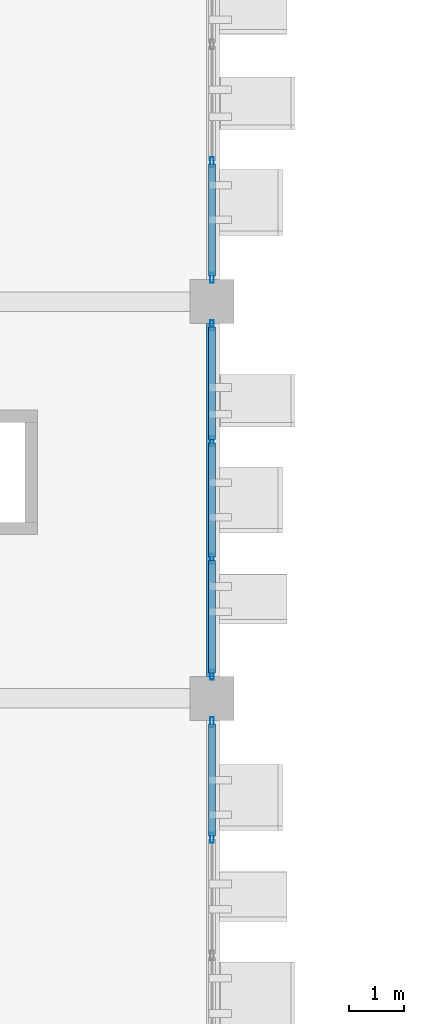
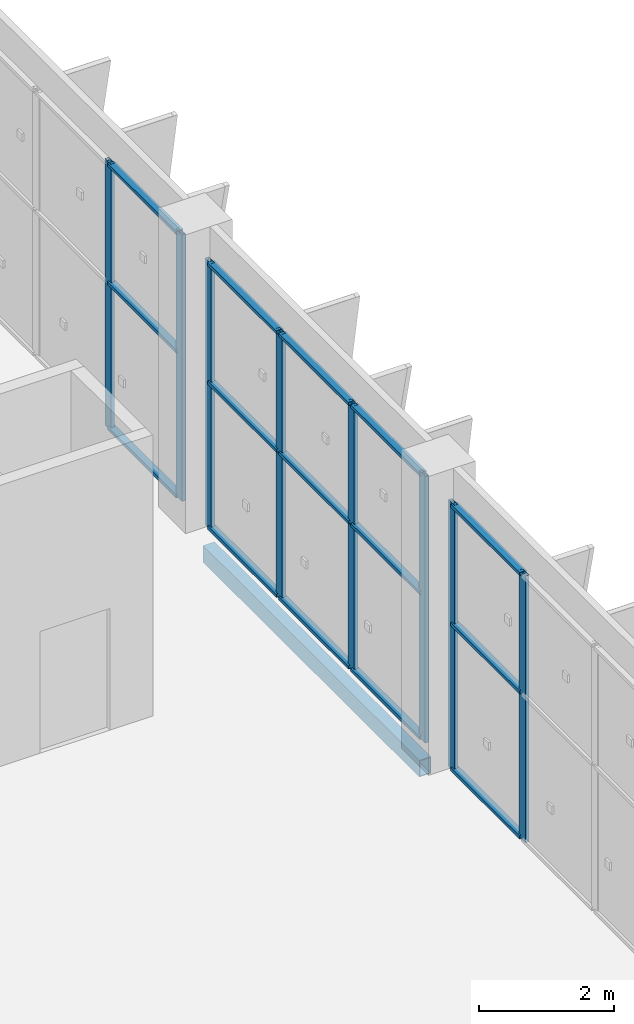
# One storey, part 41 of 137: 23 members, 1 beam, 3 elements without a shape of their own.
"""IFC4 building model written with IfcOpenShell, lengths in metres."""

from ifc_helpers import new_model, si_unit, direction, frame, origin, origin_2d, place, context, subcontext, project, spatial, hollow_rectangle, extrude, material, layer, layer_set, material_profile, profile_set, type_object, element, aggregate, save


model = new_model("IFC4")

# Units and contexts
model_context = context("Model", 3, precision=1e-05, world=origin(), true_north=direction((0.0, 1.0)))
body_context = subcontext(model_context, "Body", "Model", "MODEL_VIEW")
ifc_project = project(units=[si_unit("LENGTHUNIT", "METRE"), si_unit("AREAUNIT", "SQUARE_METRE"), si_unit("VOLUMEUNIT", "CUBIC_METRE"), si_unit("PLANEANGLEUNIT", "RADIAN"), si_unit("MASSUNIT", "GRAM", prefix="KILO")], contexts=[model_context])

# Site, building, storey
site_placement = place(None, origin())
site = spatial("IfcSite", under=ifc_project, at=site_placement, CompositionType="ELEMENT")
building_placement = place(site_placement, origin())
building = spatial("IfcBuilding", under=site, at=building_placement, Name="Celestram Park Convention Centre", CompositionType="ELEMENT")
storey_placement = place(building_placement, origin())
storey = spatial("IfcBuildingStorey", under=building, at=storey_placement, Name="L00", CompositionType="ELEMENT", Elevation=0.0)

# Curtain wall, members
ifc_material_1 = material(Name="Anodised Aluminium Alloy 6063-T6", Category="aluminium")
ifc_layer = layer(ifc_material_1, 0.179931640625)
ifc_layer_set = layer_set([ifc_layer], Name="Anodised Aluminium Alloy 6063-T6")
curtain_wall_type = type_object("IfcCurtainWallType", Name="ARC-CW-640X482", PredefinedType="NOTDEFINED", material=ifc_layer_set)
curtain_wall_1_placement = place(storey_placement, origin())
curtain_wall_1 = element("IfcCurtainWall", 1, at=curtain_wall_1_placement, inside=storey, type_object=curtain_wall_type, Name="Unitised curtain wall CU-L00-014", PredefinedType="NOTDEFINED")
ifc_material_profile_1 = material_profile(ifc_material_1, hollow_rectangle(XDim=0.06494140625, YDim=0.179931640625, WallThickness=0.00390625, at=origin_2d()), Name="ALU65X180X4")
ifc_profile_set_1 = profile_set([ifc_material_profile_1], Name="Anodised Aluminium Alloy 6063-T6")
member_type_1 = type_object("IfcMemberType", Name="ARC-CWM-150", PredefinedType="MULLION", material=ifc_profile_set_1)
member_1_placement = place(storey_placement, frame((144.0, 60.132568359375, 0.0), z_axis=(0.0, 0.0, 1.0), x_axis=(1.0, 0.0, 0.0)))
member_1 = element("IfcMember", 2, at=member_1_placement, type_object=member_type_1, Name="CW-64X48 mullion 3", PredefinedType="MULLION", context=body_context, shape_type="SweptSolid", body=[
    extrude(hollow_rectangle(XDim=0.06494140625, YDim=0.179931640625, WallThickness=0.00390625, at=origin_2d()), origin(), (0.0, 0.0, 1.0), 4.820068359375),
])
member_2_placement = place(storey_placement, frame((144.0, 58.030517578125, 0.0), z_axis=(0.0, 0.0, 1.0), x_axis=(1.0, 0.0, 0.0)))
member_2 = element("IfcMember", 3, at=member_2_placement, type_object=member_type_1, Name="CW-64X48 mullion 4", PredefinedType="MULLION", context=body_context, shape_type="SweptSolid", body=[
    extrude(hollow_rectangle(XDim=0.06494140625, YDim=0.179931640625, WallThickness=0.00390625, at=origin_2d()), origin(), (0.0, 0.0, 1.0), 4.820068359375),
])

curtain_wall_2_placement = place(storey_placement, origin())
curtain_wall_2 = element("IfcCurtainWall", 4, at=curtain_wall_2_placement, inside=storey, type_object=curtain_wall_type, Name="Unitised curtain wall CU-L00-015", PredefinedType="NOTDEFINED")
member_3_placement = place(storey_placement, frame((144.0, 57.16943359375, 0.0), z_axis=(0.0, 0.0, 1.0), x_axis=(1.0, 0.0, 0.0)))
member_3 = element("IfcMember", 5, at=member_3_placement, type_object=member_type_1, Name="CW-64X48 mullion 1", PredefinedType="MULLION", context=body_context, shape_type="SweptSolid", body=[
    extrude(hollow_rectangle(XDim=0.06494140625, YDim=0.179931640625, WallThickness=0.00390625, at=origin_2d()), origin(), (0.0, 0.0, 1.0), 4.820068359375),
])
member_4_placement = place(storey_placement, frame((144.0, 55.0673828125, 0.0), z_axis=(0.0, 0.0, 1.0), x_axis=(1.0, 0.0, 0.0)))
member_4 = element("IfcMember", 6, at=member_4_placement, type_object=member_type_1, Name="CW-64X48 mullion 2", PredefinedType="MULLION", context=body_context, shape_type="SweptSolid", body=[
    extrude(hollow_rectangle(XDim=0.06494140625, YDim=0.179931640625, WallThickness=0.00390625, at=origin_2d()), origin(), (0.0, 0.0, 1.0), 4.820068359375),
])
member_5_placement = place(storey_placement, frame((144.0, 52.9326171875, 0.0), z_axis=(0.0, 0.0, 1.0), x_axis=(1.0, 0.0, 0.0)))
member_5 = element("IfcMember", 7, at=member_5_placement, type_object=member_type_1, Name="CW-64X48 mullion 3", PredefinedType="MULLION", context=body_context, shape_type="SweptSolid", body=[
    extrude(hollow_rectangle(XDim=0.06494140625, YDim=0.179931640625, WallThickness=0.00390625, at=origin_2d()), origin(), (0.0, 0.0, 1.0), 4.820068359375),
])
member_6_placement = place(storey_placement, frame((144.0, 50.83056640625, 0.0), z_axis=(0.0, 0.0, 1.0), x_axis=(1.0, 0.0, 0.0)))
member_6 = element("IfcMember", 8, at=member_6_placement, type_object=member_type_1, Name="CW-64X48 mullion 4", PredefinedType="MULLION", context=body_context, shape_type="SweptSolid", body=[
    extrude(hollow_rectangle(XDim=0.06494140625, YDim=0.179931640625, WallThickness=0.00390625, at=origin_2d()), origin(), (0.0, 0.0, 1.0), 4.820068359375),
])

curtain_wall_3_placement = place(storey_placement, origin())
curtain_wall_3 = element("IfcCurtainWall", 9, at=curtain_wall_3_placement, inside=storey, type_object=curtain_wall_type, Name="Unitised curtain wall CU-L00-016", PredefinedType="NOTDEFINED")
member_7_placement = place(storey_placement, frame((144.0, 49.969482421875, 0.0), z_axis=(0.0, 0.0, 1.0), x_axis=(1.0, 0.0, 0.0)))
member_7 = element("IfcMember", 10, at=member_7_placement, type_object=member_type_1, Name="CW-64X48 mullion 1", PredefinedType="MULLION", context=body_context, shape_type="SweptSolid", body=[
    extrude(hollow_rectangle(XDim=0.06494140625, YDim=0.179931640625, WallThickness=0.00390625, at=origin_2d()), origin(), (0.0, 0.0, 1.0), 4.820068359375),
])
member_8_placement = place(storey_placement, frame((144.0, 47.867431640625, 0.0), z_axis=(0.0, 0.0, 1.0), x_axis=(1.0, 0.0, 0.0)))
member_8 = element("IfcMember", 11, at=member_8_placement, type_object=member_type_1, Name="CW-64X48 mullion 2", PredefinedType="MULLION", context=body_context, shape_type="SweptSolid", body=[
    extrude(hollow_rectangle(XDim=0.06494140625, YDim=0.179931640625, WallThickness=0.00390625, at=origin_2d()), origin(), (0.0, 0.0, 1.0), 4.820068359375),
])

# Member
ifc_material_profile_2 = material_profile(ifc_material_1, hollow_rectangle(XDim=0.1201171875, YDim=0.06005859375, WallThickness=0.0029296875, at=origin_2d()), Name="ALU120X60X3")
ifc_profile_set_2 = profile_set([ifc_material_profile_2], Name="Anodised Aluminium Alloy 6063-T6")
member_type_2 = type_object("IfcMemberType", Name="ARC-CWT-120", PredefinedType="USERDEFINED", material=ifc_profile_set_2)
member_9_placement = place(storey_placement, frame((144.0, 60.10009765625, 0.030029296875), z_axis=(0.0, -1.0, 0.0), x_axis=(1.0, 0.0, 0.0)))
member_9 = element("IfcMember", 12, at=member_9_placement, type_object=member_type_2, Name="CW-64X48 transom 3.1", ObjectType="TRANSOM", PredefinedType="USERDEFINED", context=body_context, shape_type="SweptSolid", body=[
    extrude(hollow_rectangle(XDim=0.1201171875, YDim=0.06005859375, WallThickness=0.0029296875, at=origin_2d()), origin(), (0.0, 0.0, 1.0), 2.037109375),
])

member_10_placement = place(storey_placement, frame((144.0, 60.10009765625, 2.64990234375), z_axis=(0.0, -1.0, 0.0), x_axis=(1.0, 0.0, 0.0)))
member_10 = element("IfcMember", 13, at=member_10_placement, type_object=member_type_2, Name="CW-64X48 transom 3.2", ObjectType="TRANSOM", PredefinedType="USERDEFINED", context=body_context, shape_type="SweptSolid", body=[
    extrude(hollow_rectangle(XDim=0.1201171875, YDim=0.06005859375, WallThickness=0.0029296875, at=origin_2d()), origin(), (0.0, 0.0, 1.0), 2.037109375),
])

member_11_placement = place(storey_placement, frame((144.0, 60.10009765625, 4.7900390625), z_axis=(0.0, -1.0, 0.0), x_axis=(1.0, 0.0, 0.0)))
member_11 = element("IfcMember", 14, at=member_11_placement, type_object=member_type_2, Name="CW-64X48 transom 3.3", ObjectType="TRANSOM", PredefinedType="USERDEFINED", context=body_context, shape_type="SweptSolid", body=[
    extrude(hollow_rectangle(XDim=0.1201171875, YDim=0.06005859375, WallThickness=0.0029296875, at=origin_2d()), origin(), (0.0, 0.0, 1.0), 2.037109375),
])

aggregate(curtain_wall_1, [member_1, member_2, member_9, member_10, member_11])

member_12_placement = place(storey_placement, frame((144.0, 57.136962890625, 0.030029296875), z_axis=(0.0, -1.0, 0.0), x_axis=(1.0, 0.0, 0.0)))
member_12 = element("IfcMember", 15, at=member_12_placement, type_object=member_type_2, Name="CW-64X48 transom 1.1", ObjectType="TRANSOM", PredefinedType="USERDEFINED", context=body_context, shape_type="SweptSolid", body=[
    extrude(hollow_rectangle(XDim=0.1201171875, YDim=0.06005859375, WallThickness=0.0029296875, at=origin_2d()), origin(), (0.0, 0.0, 1.0), 2.037109375),
])

member_13_placement = place(storey_placement, frame((144.0, 57.136962890625, 2.64990234375), z_axis=(0.0, -1.0, 0.0), x_axis=(1.0, 0.0, 0.0)))
member_13 = element("IfcMember", 16, at=member_13_placement, type_object=member_type_2, Name="CW-64X48 transom 1.2", ObjectType="TRANSOM", PredefinedType="USERDEFINED", context=body_context, shape_type="SweptSolid", body=[
    extrude(hollow_rectangle(XDim=0.1201171875, YDim=0.06005859375, WallThickness=0.0029296875, at=origin_2d()), origin(), (0.0, 0.0, 1.0), 2.037109375),
])

member_14_placement = place(storey_placement, frame((144.0, 57.136962890625, 4.7900390625), z_axis=(0.0, -1.0, 0.0), x_axis=(1.0, 0.0, 0.0)))
member_14 = element("IfcMember", 17, at=member_14_placement, type_object=member_type_2, Name="CW-64X48 transom 1.3", ObjectType="TRANSOM", PredefinedType="USERDEFINED", context=body_context, shape_type="SweptSolid", body=[
    extrude(hollow_rectangle(XDim=0.1201171875, YDim=0.06005859375, WallThickness=0.0029296875, at=origin_2d()), origin(), (0.0, 0.0, 1.0), 2.037109375),
])

member_15_placement = place(storey_placement, frame((144.0, 55.034912109375, 0.030029296875), z_axis=(0.0, -1.0, 0.0), x_axis=(1.0, 0.0, 0.0)))
member_15 = element("IfcMember", 18, at=member_15_placement, type_object=member_type_2, Name="CW-64X48 transom 2.1", ObjectType="TRANSOM", PredefinedType="USERDEFINED", context=body_context, shape_type="SweptSolid", body=[
    extrude(hollow_rectangle(XDim=0.1201171875, YDim=0.06005859375, WallThickness=0.0029296875, at=origin_2d()), origin(), (0.0, 0.0, 1.0), 2.06982421875),
])

member_16_placement = place(storey_placement, frame((144.0, 55.034912109375, 2.64990234375), z_axis=(0.0, -1.0, 0.0), x_axis=(1.0, 0.0, 0.0)))
member_16 = element("IfcMember", 19, at=member_16_placement, type_object=member_type_2, Name="CW-64X48 transom 2.2", ObjectType="TRANSOM", PredefinedType="USERDEFINED", context=body_context, shape_type="SweptSolid", body=[
    extrude(hollow_rectangle(XDim=0.1201171875, YDim=0.06005859375, WallThickness=0.0029296875, at=origin_2d()), origin(), (0.0, 0.0, 1.0), 2.06982421875),
])

member_17_placement = place(storey_placement, frame((144.0, 55.034912109375, 4.7900390625), z_axis=(0.0, -1.0, 0.0), x_axis=(1.0, 0.0, 0.0)))
member_17 = element("IfcMember", 20, at=member_17_placement, type_object=member_type_2, Name="CW-64X48 transom 2.3", ObjectType="TRANSOM", PredefinedType="USERDEFINED", context=body_context, shape_type="SweptSolid", body=[
    extrude(hollow_rectangle(XDim=0.1201171875, YDim=0.06005859375, WallThickness=0.0029296875, at=origin_2d()), origin(), (0.0, 0.0, 1.0), 2.06982421875),
])

member_18_placement = place(storey_placement, frame((144.0, 52.900146484375, 0.030029296875), z_axis=(0.0, -1.0, 0.0), x_axis=(1.0, 0.0, 0.0)))
member_18 = element("IfcMember", 21, at=member_18_placement, type_object=member_type_2, Name="CW-64X48 transom 3.1", ObjectType="TRANSOM", PredefinedType="USERDEFINED", context=body_context, shape_type="SweptSolid", body=[
    extrude(hollow_rectangle(XDim=0.1201171875, YDim=0.06005859375, WallThickness=0.0029296875, at=origin_2d()), origin(), (0.0, 0.0, 1.0), 2.037109375),
])

member_19_placement = place(storey_placement, frame((144.0, 52.900146484375, 2.64990234375), z_axis=(0.0, -1.0, 0.0), x_axis=(1.0, 0.0, 0.0)))
member_19 = element("IfcMember", 22, at=member_19_placement, type_object=member_type_2, Name="CW-64X48 transom 3.2", ObjectType="TRANSOM", PredefinedType="USERDEFINED", context=body_context, shape_type="SweptSolid", body=[
    extrude(hollow_rectangle(XDim=0.1201171875, YDim=0.06005859375, WallThickness=0.0029296875, at=origin_2d()), origin(), (0.0, 0.0, 1.0), 2.037109375),
])

member_20_placement = place(storey_placement, frame((144.0, 52.900146484375, 4.7900390625), z_axis=(0.0, -1.0, 0.0), x_axis=(1.0, 0.0, 0.0)))
member_20 = element("IfcMember", 23, at=member_20_placement, type_object=member_type_2, Name="CW-64X48 transom 3.3", ObjectType="TRANSOM", PredefinedType="USERDEFINED", context=body_context, shape_type="SweptSolid", body=[
    extrude(hollow_rectangle(XDim=0.1201171875, YDim=0.06005859375, WallThickness=0.0029296875, at=origin_2d()), origin(), (0.0, 0.0, 1.0), 2.037109375),
])

aggregate(curtain_wall_2, [member_3, member_4, member_5, member_6, member_12, member_13, member_14, member_15, member_16, member_17, member_18, member_19, member_20])

member_21_placement = place(storey_placement, frame((144.0, 49.93701171875, 0.030029296875), z_axis=(0.0, -1.0, 0.0), x_axis=(1.0, 0.0, 0.0)))
member_21 = element("IfcMember", 24, at=member_21_placement, type_object=member_type_2, Name="CW-64X48 transom 1.1", ObjectType="TRANSOM", PredefinedType="USERDEFINED", context=body_context, shape_type="SweptSolid", body=[
    extrude(hollow_rectangle(XDim=0.1201171875, YDim=0.06005859375, WallThickness=0.0029296875, at=origin_2d()), origin(), (0.0, 0.0, 1.0), 2.037109375),
])

member_22_placement = place(storey_placement, frame((144.0, 49.93701171875, 2.64990234375), z_axis=(0.0, -1.0, 0.0), x_axis=(1.0, 0.0, 0.0)))
member_22 = element("IfcMember", 25, at=member_22_placement, type_object=member_type_2, Name="CW-64X48 transom 1.2", ObjectType="TRANSOM", PredefinedType="USERDEFINED", context=body_context, shape_type="SweptSolid", body=[
    extrude(hollow_rectangle(XDim=0.1201171875, YDim=0.06005859375, WallThickness=0.0029296875, at=origin_2d()), origin(), (0.0, 0.0, 1.0), 2.037109375),
])

member_23_placement = place(storey_placement, frame((144.0, 49.93701171875, 4.7900390625), z_axis=(0.0, -1.0, 0.0), x_axis=(1.0, 0.0, 0.0)))
member_23 = element("IfcMember", 26, at=member_23_placement, type_object=member_type_2, Name="CW-64X48 transom 1.3", ObjectType="TRANSOM", PredefinedType="USERDEFINED", context=body_context, shape_type="SweptSolid", body=[
    extrude(hollow_rectangle(XDim=0.1201171875, YDim=0.06005859375, WallThickness=0.0029296875, at=origin_2d()), origin(), (0.0, 0.0, 1.0), 2.037109375),
])

aggregate(curtain_wall_3, [member_7, member_8, member_21, member_22, member_23])

# Beam
ifc_material_2 = material(Name="Steel ASTM A500 Grade C", Category="steel")
ifc_material_profile_3 = material_profile(ifc_material_2, hollow_rectangle(XDim=0.199951171875, YDim=0.300048828125, WallThickness=0.011962890625, at=origin_2d()), Name="HSS300X200X12")
ifc_profile_set_3 = profile_set([ifc_material_profile_3], Name="Steel ASTM A500 Grade C")
beam_type = type_object("IfcBeamType", Name="STR-SPN-HSS300X200", PredefinedType="SPANDREL", material=ifc_profile_set_3)
beam_placement = place(storey_placement, frame((144.0, 50.798095703125, -0.469970703125), z_axis=(0.0, 1.0, 0.0), x_axis=(-1.0, 0.0, 0.0)))
element("IfcBeam", 27, at=beam_placement, inside=storey, type_object=beam_type, Name="Primary Y-girder BG-L00-0672", PredefinedType="SPANDREL", context=body_context, shape_type="SweptSolid", body=[
    extrude(hollow_rectangle(XDim=0.199951171875, YDim=0.300048828125, WallThickness=0.011962890625, at=origin_2d()), origin(), (0.0, 0.0, 1.0), 6.40380859375),
])

save(model, "model.ifc")
